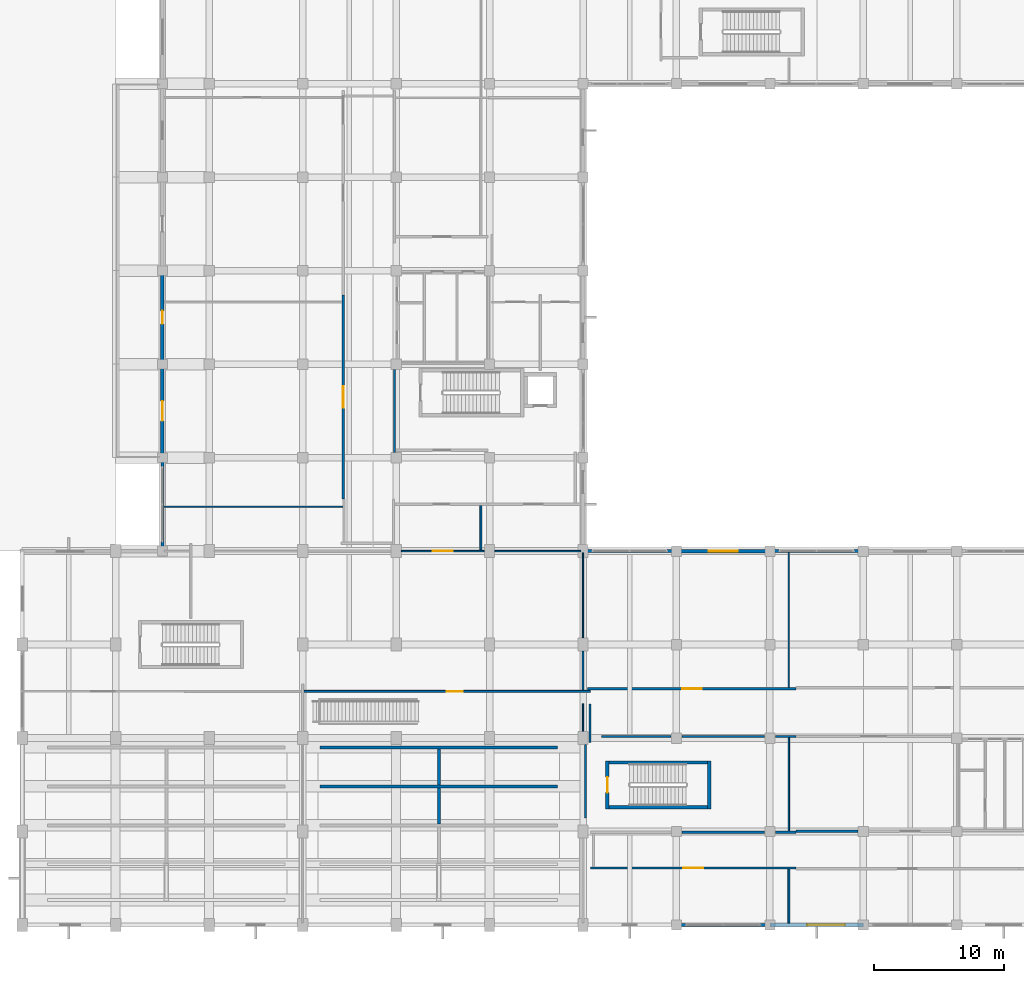
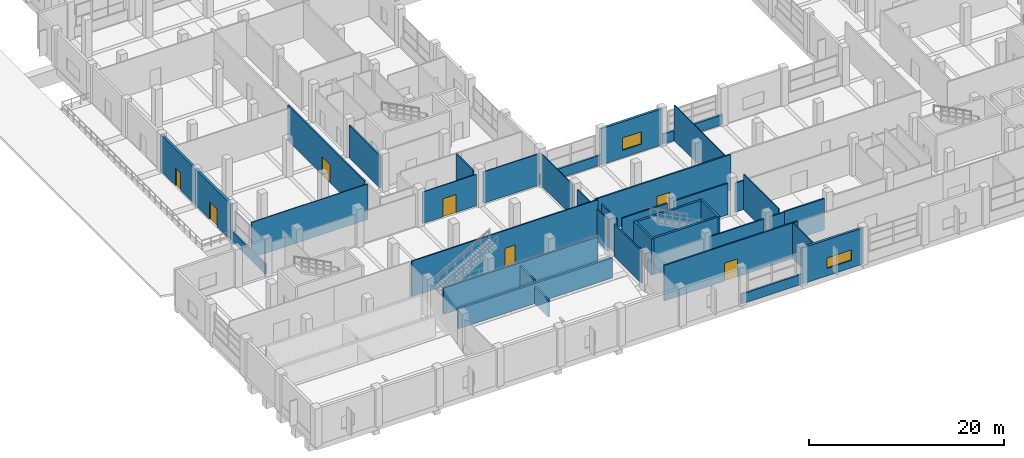
# One storey, part 119 of 140: 39 walls, 8 doors, 2 windows, 10 openings.
"""IFC4 building model written with IfcOpenShell, lengths in metres."""

from ifc_helpers import new_model, si_unit, direction, frame, frame_2d, origin, place, context, subcontext, project, spatial, rectangle, extrude, material, layer, layer_set, type_object, element, fill, save


model = new_model("IFC4")

# Units and contexts
model_context = context("Model", 3, precision=1e-05, world=origin(), true_north=direction((0.0, 1.0)))
body_context = subcontext(model_context, "Body", "Model", "MODEL_VIEW")
ifc_project = project(units=[si_unit("LENGTHUNIT", "METRE"), si_unit("AREAUNIT", "SQUARE_METRE"), si_unit("VOLUMEUNIT", "CUBIC_METRE"), si_unit("PLANEANGLEUNIT", "RADIAN"), si_unit("MASSUNIT", "GRAM", prefix="KILO")], contexts=[model_context])

# Site, building, storey
site_placement = place(None, origin())
site = spatial("IfcSite", under=ifc_project, at=site_placement, CompositionType="ELEMENT")
building_placement = place(site_placement, origin())
building = spatial("IfcBuilding", under=site, at=building_placement, Name="Seraya Terrace Polytechnic", CompositionType="ELEMENT")
storey_placement = place(building_placement, frame((0.0, 0.0, 9.60009765625)))
storey = spatial("IfcBuildingStorey", under=building, at=storey_placement, Name="L02", CompositionType="ELEMENT", Elevation=9.60009765625)

# Wall, opening, door
ifc_material_1 = material(Name="Precast concrete C40/50", Category="concrete")
ifc_layer_1 = layer(ifc_material_1, 0.280029296875, Name="EW-02")
ifc_layer_set_1 = layer_set([ifc_layer_1], Name="Precast concrete C40/50")
wall_type_1 = type_object("IfcWallType", Name="EW-02", PredefinedType="SOLIDWALL", material=ifc_layer_set_1)
wall_1_placement = place(storey_placement, frame((10.800048828125, 36.0, 0.0), z_axis=(0.0, 0.0, 1.0), x_axis=(0.0, 1.0, 0.0)))
wall_1 = element("IfcWall", 1, at=wall_1_placement, inside=storey, type_object=wall_type_1, Name="Exterior structural wall EW-02 L02", PredefinedType="SOLIDWALL", context=body_context, shape_type="SweptSolid", body=[
    extrude(rectangle(XDim=7.199951171875, YDim=0.280029296875, at=frame_2d((3.60009765625, 0.0))), origin(), (0.0, 0.0, 1.0), 4.52001953125),
])
opening_1_placement = place(wall_1_placement, frame((2.840087890625, 0.0, 0.0)))
opening_1 = element("IfcOpeningElement", 2, at=opening_1_placement, cuts=wall_1, Name="Opening TD-04", PredefinedType="OPENING", context=body_context, shape_type="SweptSolid", body=[
    extrude(rectangle(XDim=1.52001953125, YDim=2.219970703125, at=frame_2d((0.760009765625, 1.10986328125))), frame((0.0, 0.15185546875, 0.0), z_axis=(0.0, -1.0, 0.0), x_axis=(1.0, 0.0, 0.0)), (0.0, 0.0, 1.0), 0.303955078125),
])
ifc_material_2 = material(Name="Anodised aluminium EN AW-6063 T6", Category="aluminium")
door_type_1 = type_object("IfcDoorType", Name="TD-04", OperationType="DOUBLE_DOOR_SINGLE_SWING", PredefinedType="DOOR", material=ifc_material_2)
door_1_placement = place(opening_1_placement, origin())
door_1 = element("IfcDoor", 3, at=door_1_placement, inside=storey, type_object=door_type_1, Name="Door TD-04 DR-TERR-L02-00-01 in WL-EXT-L02-00-01", OperationType="DOUBLE_DOOR_SINGLE_SWING", OverallHeight=2.219970703125, OverallWidth=1.52001953125, PredefinedType="DOOR", context=body_context, shape_type="SweptSolid", body=[
    extrude(rectangle(XDim=1.52001953125, YDim=2.219970703125, at=frame_2d((0.760009765625, 1.10986328125))), frame((0.0, 0.02490234375, 0.0), z_axis=(0.0, -1.0, 0.0), x_axis=(1.0, 0.0, 0.0)), (0.0, 0.0, 1.0), 0.050048828125),
])
fill(opening_1, door_1)

wall_2_placement = place(storey_placement, frame((10.800048828125, 43.199951171875, 0.0), z_axis=(0.0, 0.0, 1.0), x_axis=(0.0, 1.0, 0.0)))
wall_2 = element("IfcWall", 4, at=wall_2_placement, inside=storey, type_object=wall_type_1, Name="Exterior structural wall EW-02 L02", PredefinedType="SOLIDWALL", context=body_context, shape_type="SweptSolid", body=[
    extrude(rectangle(XDim=7.199951171875, YDim=0.280029296875, at=frame_2d((3.60009765625, 0.0))), origin(), (0.0, 0.0, 1.0), 4.52001953125),
])
opening_2_placement = place(wall_2_placement, frame((3.10009765625, 0.0, 0.0)))
opening_2 = element("IfcOpeningElement", 5, at=opening_2_placement, cuts=wall_2, Name="Opening TD-01", PredefinedType="OPENING", context=body_context, shape_type="SweptSolid", body=[
    extrude(rectangle(XDim=1.0, YDim=2.14990234375, at=frame_2d((0.5, 1.074951171875))), frame((0.0, 0.15185546875, 0.0), z_axis=(0.0, -1.0, 0.0), x_axis=(1.0, 0.0, 0.0)), (0.0, 0.0, 1.0), 0.303955078125),
])
door_type_2 = type_object("IfcDoorType", Name="TD-01", OperationType="NOTDEFINED", PredefinedType="DOOR", material=ifc_material_2)
door_2_placement = place(opening_2_placement, origin())
door_2 = element("IfcDoor", 6, at=door_2_placement, inside=storey, type_object=door_type_2, Name="Door TD-01 DR-TERR-L02-00-02 in WL-EXT-L02-00-02", OperationType="SINGLE_SWING_RIGHT", OverallHeight=2.14990234375, OverallWidth=1.0, PredefinedType="DOOR", context=body_context, shape_type="SweptSolid", body=[
    extrude(rectangle(XDim=1.0, YDim=2.14990234375, at=frame_2d((0.5, 1.074951171875))), frame((0.0, 0.02490234375, 0.0), z_axis=(0.0, -1.0, 0.0), x_axis=(1.0, 0.0, 0.0)), (0.0, 0.0, 1.0), 0.050048828125),
])
fill(opening_2, door_2)

# Wall, opening, window
wall_3_placement = place(storey_placement, frame((64.800048828125, 0.0, 0.0), z_axis=(0.0, 0.0, 1.0), x_axis=(-1.0, 0.0, 0.0)))
wall_3 = element("IfcWall", 7, at=wall_3_placement, inside=storey, type_object=wall_type_1, Name="Exterior structural wall EW-02 L02", PredefinedType="SOLIDWALL", context=body_context, shape_type="SweptSolid", body=[
    extrude(rectangle(XDim=7.199951171875, YDim=0.280029296875, at=frame_2d((3.60009765625, 0.0))), origin(), (0.0, 0.0, 1.0), 4.52001953125),
])
opening_3_placement = place(wall_3_placement, frame((1.43408203125, 0.0, 0.949951171875)))
opening_3 = element("IfcOpeningElement", 8, at=opening_3_placement, cuts=wall_3, Name="Opening WN-12", PredefinedType="OPENING", context=body_context, shape_type="SweptSolid", body=[
    extrude(rectangle(XDim=2.89990234375, YDim=1.300048828125, at=frame_2d((1.449951171875, 0.64990234375))), frame((0.0, 0.15185546875, 0.0), z_axis=(0.0, -1.0, 0.0), x_axis=(1.0, 0.0, 0.0)), (0.0, 0.0, 1.0), 0.303955078125),
])
ifc_material_3 = material(Name="Laminated solar-control Low-E double glazing", Category="glass")
window_type_1 = type_object("IfcWindowType", Name="WN-12", PartitioningType="SINGLE_PANEL", PredefinedType="WINDOW", material=ifc_material_3)
window_1_placement = place(opening_3_placement, origin())
window_1 = element("IfcWindow", 9, at=window_1_placement, inside=storey, type_object=window_type_1, Name="Exterior window WN-12 L02", OverallHeight=1.300048828125, OverallWidth=2.89990234375, PartitioningType="SINGLE_PANEL", PredefinedType="WINDOW", context=body_context, shape_type="SweptSolid", body=[
    extrude(rectangle(XDim=2.89990234375, YDim=1.300048828125, at=frame_2d((1.449951171875, 0.64990234375))), frame((0.0, 0.030029296875, 0.0), z_axis=(0.0, -1.0, 0.0), x_axis=(1.0, 0.0, 0.0)), (0.0, 0.0, 1.0), 0.06005859375),
])
fill(opening_3, window_1)

wall_4_placement = place(storey_placement, frame((50.39990234375, 28.800048828125, 0.0), z_axis=(0.0, 0.0, 1.0), x_axis=(1.0, 0.0, 0.0)))
wall_4 = element("IfcWall", 10, at=wall_4_placement, inside=storey, type_object=wall_type_1, Name="Exterior structural wall EW-02 L02", PredefinedType="SOLIDWALL", context=body_context, shape_type="SweptSolid", body=[
    extrude(rectangle(XDim=7.2001953125, YDim=0.280029296875, at=frame_2d((3.60009765625, 0.0))), origin(), (0.0, 0.0, 1.0), 4.52001953125),
])
opening_4_placement = place(wall_4_placement, frame((2.47509765625, 0.0, 0.949951171875)))
opening_4 = element("IfcOpeningElement", 11, at=opening_4_placement, cuts=wall_4, Name="Opening WN-20", PredefinedType="OPENING", context=body_context, shape_type="SweptSolid", body=[
    extrude(rectangle(XDim=2.25, YDim=1.550048828125, at=frame_2d((1.125, 0.77490234375))), frame((0.0, 0.15185546875, 0.0), z_axis=(0.0, -1.0, 0.0), x_axis=(1.0, 0.0, 0.0)), (0.0, 0.0, 1.0), 0.303955078125),
])
window_type_2 = type_object("IfcWindowType", Name="WN-20", PartitioningType="SINGLE_PANEL", PredefinedType="WINDOW", material=ifc_material_3)
window_2_placement = place(opening_4_placement, origin())
window_2 = element("IfcWindow", 12, at=window_2_placement, inside=storey, type_object=window_type_2, Name="Exterior window WN-20 L02", OverallHeight=1.550048828125, OverallWidth=2.25, PartitioningType="SINGLE_PANEL", PredefinedType="WINDOW", context=body_context, shape_type="SweptSolid", body=[
    extrude(rectangle(XDim=2.25, YDim=1.550048828125, at=frame_2d((1.125, 0.77490234375))), frame((0.0, 0.030029296875, 0.0), z_axis=(0.0, -1.0, 0.0), x_axis=(1.0, 0.0, 0.0)), (0.0, 0.0, 1.0), 0.06005859375),
])
fill(opening_4, window_2)

# Walls
ifc_layer_2 = layer(ifc_material_1, 0.219970703125, Name="EW-05")
ifc_layer_set_2 = layer_set([ifc_layer_2], Name="Precast concrete C40/50")
wall_type_2 = type_object("IfcWallType", Name="EW-05", PredefinedType="SOLIDWALL", material=ifc_layer_set_2)
wall_5_placement = place(storey_placement, frame((10.800048828125, 28.966064453125, 0.0), z_axis=(0.0, 0.0, 1.0), x_axis=(0.0, 1.0, 0.0)))
element("IfcWall", 13, at=wall_5_placement, inside=storey, type_object=wall_type_2, Name="Precast spandrel wall L02", PredefinedType="SOLIDWALL", context=body_context, shape_type="SweptSolid", body=[
    extrude(rectangle(XDim=7.033935546875, YDim=0.219970703125, at=frame_2d((3.51708984375, 0.0))), origin(), (0.0, 0.0, 1.0), 1.239990234375),
])
wall_6_placement = place(storey_placement, frame((57.60009765625, 0.0, 0.0), z_axis=(0.0, 0.0, 1.0), x_axis=(-1.0, 0.0, 0.0)))
element("IfcWall", 14, at=wall_6_placement, inside=storey, type_object=wall_type_2, Name="Precast spandrel wall L02", PredefinedType="SOLIDWALL", context=body_context, shape_type="SweptSolid", body=[
    extrude(rectangle(XDim=7.2001953125, YDim=0.219970703125, at=frame_2d((3.60009765625, 0.0))), origin(), (0.0, 0.0, 1.0), 1.239990234375),
])
wall_7_placement = place(storey_placement, frame((43.050048828125, 28.800048828125, 0.0), z_axis=(0.0, 0.0, 1.0), x_axis=(1.0, 0.0, 0.0)))
element("IfcWall", 15, at=wall_7_placement, inside=storey, type_object=wall_type_2, Name="Precast spandrel wall L02", PredefinedType="SOLIDWALL", context=body_context, shape_type="SweptSolid", body=[
    extrude(rectangle(XDim=7.349853515625, YDim=0.219970703125, at=frame_2d((3.6748046875, 0.0))), origin(), (0.0, 0.0, 1.0), 1.239990234375),
])
wall_8_placement = place(storey_placement, frame((57.60009765625, 28.800048828125, 0.0), z_axis=(0.0, 0.0, 1.0), x_axis=(1.0, 0.0, 0.0)))
element("IfcWall", 16, at=wall_8_placement, inside=storey, type_object=wall_type_2, Name="Precast spandrel wall L02", PredefinedType="SOLIDWALL", context=body_context, shape_type="SweptSolid", body=[
    extrude(rectangle(XDim=7.199951171875, YDim=0.219970703125, at=frame_2d((3.60009765625, 0.0))), origin(), (0.0, 0.0, 1.0), 1.239990234375),
])
ifc_material_4 = material(Name="Autoclaved aerated concrete blockwork", Category="masonry")
ifc_layer_3 = layer(ifc_material_4, 0.169921875, Name="PT-02")
ifc_layer_set_3 = layer_set([ifc_layer_3], Name="Autoclaved aerated concrete blockwork")
wall_type_3 = type_object("IfcWallType", Name="PT-02", PredefinedType="PARTITIONING", material=ifc_layer_set_3)
wall_9_placement = place(storey_placement, frame((50.81005859375, 14.530029296875, 0.0), z_axis=(0.0, 0.0, 1.0), x_axis=(1.0, 0.0, 0.0)))
element("IfcWall", 17, at=wall_9_placement, inside=storey, type_object=wall_type_3, Name="Internal partition PT-02 L02", PredefinedType="PARTITIONING", context=body_context, shape_type="SweptSolid", body=[
    extrude(rectangle(XDim=6.3798828125, YDim=0.169921875, at=frame_2d((3.18994140625, 0.0))), origin(), (0.0, 0.0, 1.0), 3.929931640625),
])
wall_10_placement = place(storey_placement, frame((44.6298828125, 14.530029296875, 0.0), z_axis=(0.0, 0.0, 1.0), x_axis=(1.0, 0.0, 0.0)))
element("IfcWall", 18, at=wall_10_placement, inside=storey, type_object=wall_type_3, Name="Internal partition PT-02 L02", PredefinedType="PARTITIONING", context=body_context, shape_type="SweptSolid", body=[
    extrude(rectangle(XDim=5.360107421875, YDim=0.169921875, at=frame_2d((2.68017578125, 0.0))), origin(), (0.0, 0.0, 1.0), 3.929931640625),
])
wall_11_placement = place(storey_placement, frame((58.010009765625, 14.530029296875, 0.0), z_axis=(0.0, 0.0, 1.0), x_axis=(1.0, 0.0, 0.0)))
element("IfcWall", 19, at=wall_11_placement, inside=storey, type_object=wall_type_3, Name="Internal partition PT-02 L02", PredefinedType="PARTITIONING", context=body_context, shape_type="SweptSolid", body=[
    extrude(rectangle(XDim=1.60205078125, YDim=0.169921875, at=frame_2d((0.801025390625, 0.0))), origin(), (0.0, 0.0, 1.0), 3.6298828125),
])
wall_12_placement = place(storey_placement, frame((43.72998046875, 14.041015625, 0.0), z_axis=(0.0, 0.0, 1.0), x_axis=(0.0, 1.0, 0.0)))
element("IfcWall", 20, at=wall_12_placement, inside=storey, type_object=wall_type_3, Name="Internal partition PT-02 L02", PredefinedType="PARTITIONING", context=body_context, shape_type="SweptSolid", body=[
    extrude(rectangle(XDim=2.990966796875, YDim=0.169921875, at=frame_2d((1.49560546875, 0.0))), origin(), (0.0, 0.0, 1.0), 4.4599609375),
])

# Wall, opening, door
wall_13_placement = place(storey_placement, frame((43.56005859375, 18.199951171875, 0.0), z_axis=(0.0, 0.0, 1.0), x_axis=(1.0, 0.0, 0.0)))
wall_13 = element("IfcWall", 21, at=wall_13_placement, inside=storey, type_object=wall_type_3, Name="Internal partition PT-02 L02", PredefinedType="PARTITIONING", context=body_context, shape_type="SweptSolid", body=[
    extrude(rectangle(XDim=16.0634765625, YDim=0.169921875, at=frame_2d((8.03173828125, 0.0))), origin(), (0.0, 0.0, 1.0), 4.4599609375),
])
opening_5_placement = place(wall_13_placement, frame((7.291748046875, 0.0, 0.0)))
opening_5 = element("IfcOpeningElement", 22, at=opening_5_placement, cuts=wall_13, Name="Opening ID-11", PredefinedType="OPENING", context=body_context, shape_type="SweptSolid", body=[
    extrude(rectangle(XDim=1.47998046875, YDim=2.260009765625, at=frame_2d((0.739990234375, 1.1298828125))), frame((0.0, 0.096923828125, 0.0), z_axis=(0.0, -1.0, 0.0), x_axis=(1.0, 0.0, 0.0)), (0.0, 0.0, 1.0), 0.19384765625),
])
ifc_material_5 = material(Name="Malaysian dark red meranti hardwood timber D40", Category="wood")
door_type_3 = type_object("IfcDoorType", Name="ID-11", OperationType="DOUBLE_DOOR_SINGLE_SWING", PredefinedType="DOOR", material=ifc_material_5)
door_3_placement = place(opening_5_placement, origin())
door_3 = element("IfcDoor", 23, at=door_3_placement, inside=storey, type_object=door_type_3, Name="Door ID-11 DR-INT-L02-0136 in WL-INT-L02-0423", OperationType="DOUBLE_DOOR_SINGLE_SWING", OverallHeight=2.260009765625, OverallWidth=1.47998046875, PredefinedType="DOOR", context=body_context, shape_type="SweptSolid", body=[
    extrude(rectangle(XDim=1.47998046875, YDim=2.260009765625, at=frame_2d((0.739990234375, 1.1298828125))), frame((0.0, 0.02490234375, 0.0), z_axis=(0.0, -1.0, 0.0), x_axis=(1.0, 0.0, 0.0)), (0.0, 0.0, 1.0), 0.050048828125),
])
fill(opening_5, door_3)

# Walls
wall_14_placement = place(storey_placement, frame((50.81005859375, 7.14990234375, 0.0), z_axis=(0.0, 0.0, 1.0), x_axis=(1.0, 0.0, 0.0)))
element("IfcWall", 24, at=wall_14_placement, inside=storey, type_object=wall_type_3, Name="Internal partition PT-02 L02", PredefinedType="PARTITIONING", context=body_context, shape_type="SweptSolid", body=[
    extrude(rectangle(XDim=6.3798828125, YDim=0.169921875, at=frame_2d((3.18994140625, 0.0))), origin(), (0.0, 0.0, 1.0), 3.929931640625),
])
wall_15_placement = place(storey_placement, frame((58.010009765625, 7.14990234375, 0.0), z_axis=(0.0, 0.0, 1.0), x_axis=(1.0, 0.0, 0.0)))
element("IfcWall", 25, at=wall_15_placement, inside=storey, type_object=wall_type_3, Name="Internal partition PT-02 L02", PredefinedType="PARTITIONING", context=body_context, shape_type="SweptSolid", body=[
    extrude(rectangle(XDim=1.613525390625, YDim=0.169921875, at=frame_2d((0.806640625, 0.0))), origin(), (0.0, 0.0, 1.0), 3.929931640625),
])

# Wall, opening, door
wall_16_placement = place(storey_placement, frame((43.760009765625, 4.39990234375, 0.0), z_axis=(0.0, 0.0, 1.0), x_axis=(1.0, 0.0, 0.0)))
wall_16 = element("IfcWall", 26, at=wall_16_placement, inside=storey, type_object=wall_type_3, Name="Internal partition PT-02 L02", PredefinedType="PARTITIONING", context=body_context, shape_type="SweptSolid", body=[
    extrude(rectangle(XDim=15.863525390625, YDim=0.169921875, at=frame_2d((7.931640625, 0.0))), origin(), (0.0, 0.0, 1.0), 4.4599609375),
])
opening_6_placement = place(wall_16_placement, frame((7.15185546875, 0.0, 0.0)))
opening_6 = element("IfcOpeningElement", 27, at=opening_6_placement, cuts=wall_16, Name="Opening ID-12", PredefinedType="OPENING", context=body_context, shape_type="SweptSolid", body=[
    extrude(rectangle(XDim=1.56005859375, YDim=2.260009765625, at=frame_2d((0.780029296875, 1.1298828125))), frame((0.0, 0.096923828125, 0.0), z_axis=(0.0, -1.0, 0.0), x_axis=(1.0, 0.0, 0.0)), (0.0, 0.0, 1.0), 0.19384765625),
])
door_type_4 = type_object("IfcDoorType", Name="ID-12", OperationType="DOUBLE_DOOR_SINGLE_SWING", PredefinedType="DOOR", material=ifc_material_5)
door_4_placement = place(opening_6_placement, frame((1.56005859375, 0.0, 0.0), z_axis=(0.0, 0.0, 1.0), x_axis=(-1.0, 0.0, 0.0)))
door_4 = element("IfcDoor", 28, at=door_4_placement, inside=storey, type_object=door_type_4, Name="Door ID-12 DR-INT-L02-0137 in WL-INT-L02-0447", OperationType="DOUBLE_DOOR_SINGLE_SWING", OverallHeight=2.260009765625, OverallWidth=1.56005859375, PredefinedType="DOOR", context=body_context, shape_type="SweptSolid", body=[
    extrude(rectangle(XDim=1.56005859375, YDim=2.260009765625, at=frame_2d((0.780029296875, 1.1298828125))), frame((0.0, 0.02490234375, 0.0), z_axis=(0.0, -1.0, 0.0), x_axis=(1.0, 0.0, 0.0)), (0.0, 0.0, 1.0), 0.050048828125),
])
fill(opening_6, door_4)

# Walls
wall_17_placement = place(storey_placement, frame((59.62353515625, 7.219970703125, 0.0), z_axis=(0.0, 0.0, 1.0), x_axis=(1.0, 0.0, 0.0)))
element("IfcWall", 29, at=wall_17_placement, inside=storey, type_object=wall_type_3, Name="Internal partition PT-02 L02", PredefinedType="PARTITIONING", context=body_context, shape_type="SweptSolid", body=[
    extrude(rectangle(XDim=4.766357421875, YDim=0.169921875, at=frame_2d((2.38330078125, 0.0))), origin(), (0.0, 0.0, 1.0), 3.929931640625),
])
wall_18_placement = place(storey_placement, frame((43.39990234375, 8.25048828125, 0.0), z_axis=(0.0, 0.0, 1.0), x_axis=(0.0, 1.0, 0.0)))
element("IfcWall", 30, at=wall_18_placement, inside=storey, type_object=wall_type_3, Name="Internal partition PT-02 L02", PredefinedType="PARTITIONING", context=body_context, shape_type="SweptSolid", body=[
    extrude(rectangle(XDim=5.639404296875, YDim=0.169921875, at=frame_2d((2.81982421875, 0.0))), origin(), (0.0, 0.0, 1.0), 4.02978515625),
])
wall_19_placement = place(storey_placement, frame((28.669921875, 36.409912109375, 0.0), z_axis=(0.0, 0.0, 1.0), x_axis=(0.0, 1.0, 0.0)))
element("IfcWall", 31, at=wall_19_placement, inside=storey, type_object=wall_type_3, Name="Internal partition PT-02 L02", PredefinedType="PARTITIONING", context=body_context, shape_type="SweptSolid", body=[
    extrude(rectangle(XDim=6.380126953125, YDim=0.169921875, at=frame_2d((3.18994140625, 0.0))), origin(), (0.0, 0.0, 1.0), 4.02978515625),
])

# Wall, opening, door
wall_20_placement = place(storey_placement, frame((24.72998046875, 32.79541015625, 0.0), z_axis=(0.0, 0.0, 1.0), x_axis=(0.0, 1.0, 0.0)))
wall_20 = element("IfcWall", 32, at=wall_20_placement, inside=storey, type_object=wall_type_3, Name="Internal partition PT-02 L02", PredefinedType="PARTITIONING", context=body_context, shape_type="SweptSolid", body=[
    extrude(rectangle(XDim=15.740478515625, YDim=0.169921875, at=frame_2d((7.8701171875, 0.0))), origin(), (0.0, 0.0, 1.0), 4.4599609375),
])
opening_7_placement = place(wall_20_placement, frame((7.0302734375, 0.0, 0.0)))
opening_7 = element("IfcOpeningElement", 33, at=opening_7_placement, cuts=wall_20, Name="Opening ID-13", PredefinedType="OPENING", context=body_context, shape_type="SweptSolid", body=[
    extrude(rectangle(XDim=1.679931640625, YDim=2.280029296875, at=frame_2d((0.83984375, 1.14013671875))), frame((0.0, 0.096923828125, 0.0), z_axis=(0.0, -1.0, 0.0), x_axis=(1.0, 0.0, 0.0)), (0.0, 0.0, 1.0), 0.19384765625),
])
door_type_5 = type_object("IfcDoorType", Name="ID-13", OperationType="DOUBLE_DOOR_SINGLE_SWING", PredefinedType="DOOR", material=ifc_material_5)
door_5_placement = place(opening_7_placement, origin())
door_5 = element("IfcDoor", 34, at=door_5_placement, inside=storey, type_object=door_type_5, Name="Door ID-13 DR-INT-L02-0138 in WL-INT-L02-0471", OperationType="DOUBLE_DOOR_SINGLE_SWING", OverallHeight=2.280029296875, OverallWidth=1.679931640625, PredefinedType="DOOR", context=body_context, shape_type="SweptSolid", body=[
    extrude(rectangle(XDim=1.679931640625, YDim=2.280029296875, at=frame_2d((0.83984375, 1.14013671875))), frame((0.0, 0.02490234375, 0.0), z_axis=(0.0, -1.0, 0.0), x_axis=(1.0, 0.0, 0.0)), (0.0, 0.0, 1.0), 0.050048828125),
])
fill(opening_7, door_5)

ifc_layer_4 = layer(ifc_material_4, 0.14990234375, Name="PT-03")
ifc_layer_set_4 = layer_set([ifc_layer_4], Name="Autoclaved aerated concrete blockwork")
wall_type_4 = type_object("IfcWallType", Name="PT-03", PredefinedType="PARTITIONING", material=ifc_layer_set_4)
wall_21_placement = place(storey_placement, frame((21.68994140625, 18.0, 0.0), z_axis=(0.0, 0.0, 1.0), x_axis=(1.0, 0.0, 0.0)))
wall_21 = element("IfcWall", 35, at=wall_21_placement, inside=storey, type_object=wall_type_4, Name="Internal partition PT-03 L02", PredefinedType="PARTITIONING", context=body_context, shape_type="SweptSolid", body=[
    extrude(rectangle(XDim=22.070068359375, YDim=0.14990234375, at=frame_2d((11.03515625, 0.0))), origin(), (0.0, 0.0, 1.0), 4.4599609375),
])
opening_8_placement = place(wall_21_placement, frame((11.02490234375, 0.0, 0.0)))
opening_8 = element("IfcOpeningElement", 36, at=opening_8_placement, cuts=wall_21, Name="Opening ID-07", PredefinedType="OPENING", context=body_context, shape_type="SweptSolid", body=[
    extrude(rectangle(XDim=1.219970703125, YDim=2.219970703125, at=frame_2d((0.60986328125, 1.10986328125))), frame((0.0, 0.0869140625, 0.0), z_axis=(0.0, -1.0, 0.0), x_axis=(1.0, 0.0, 0.0)), (0.0, 0.0, 1.0), 0.173828125),
])
door_type_6 = type_object("IfcDoorType", Name="ID-07", OperationType="NOTDEFINED", PredefinedType="DOOR", material=ifc_material_5)
door_6_placement = place(opening_8_placement, origin())
door_6 = element("IfcDoor", 37, at=door_6_placement, inside=storey, type_object=door_type_6, Name="Door ID-07 DR-INT-L02-0132 in WL-INT-L02-0499", OperationType="SINGLE_SWING_LEFT", OverallHeight=2.219970703125, OverallWidth=1.219970703125, PredefinedType="DOOR", context=body_context, shape_type="SweptSolid", body=[
    extrude(rectangle(XDim=1.219970703125, YDim=2.219970703125, at=frame_2d((0.60986328125, 1.10986328125))), frame((0.0, 0.02490234375, 0.0), z_axis=(0.0, -1.0, 0.0), x_axis=(1.0, 0.0, 0.0)), (0.0, 0.0, 1.0), 0.050048828125),
])
fill(opening_8, door_6)

# Walls
wall_22_placement = place(storey_placement, frame((43.199951171875, 18.090087890625, 0.0), z_axis=(0.0, 0.0, 1.0), x_axis=(0.0, 1.0, 0.0)))
element("IfcWall", 38, at=wall_22_placement, inside=storey, type_object=wall_type_4, Name="Internal partition PT-03 L02", PredefinedType="PARTITIONING", context=body_context, shape_type="SweptSolid", body=[
    extrude(rectangle(XDim=3.0, YDim=0.14990234375, at=frame_2d((1.5, 0.0))), origin(), (0.0, 0.0, 1.0), 4.02978515625),
])
wall_23_placement = place(storey_placement, frame((35.3359375, 28.875, 0.0), z_axis=(0.0, 0.0, 1.0), x_axis=(0.0, 1.0, 0.0)))
element("IfcWall", 39, at=wall_23_placement, inside=storey, type_object=wall_type_4, Name="Internal partition PT-03 L02", PredefinedType="PARTITIONING", context=body_context, shape_type="SweptSolid", body=[
    extrude(rectangle(XDim=3.43701171875, YDim=0.14990234375, at=frame_2d((1.718505859375, 0.0))), origin(), (0.0, 0.0, 1.0), 4.4599609375),
])
wall_24_placement = place(storey_placement, frame((59.052001953125, 0.152099609375, 0.0), z_axis=(0.0, 0.0, 1.0), x_axis=(0.0, 1.0, 0.0)))
element("IfcWall", 40, at=wall_24_placement, inside=storey, type_object=wall_type_4, Name="Internal partition PT-03 L02", PredefinedType="PARTITIONING", context=body_context, shape_type="SweptSolid", body=[
    extrude(rectangle(XDim=4.14794921875, YDim=0.14990234375, at=frame_2d((2.073974609375, 0.0))), origin(), (0.0, 0.0, 1.0), 4.4599609375),
])

# Wall, opening, door
ifc_layer_5 = layer(ifc_material_4, 0.1201171875, Name="PT-05")
ifc_layer_set_5 = layer_set([ifc_layer_5], Name="Autoclaved aerated concrete blockwork")
wall_type_5 = type_object("IfcWallType", Name="PT-05", PredefinedType="PARTITIONING", material=ifc_layer_set_5)
wall_25_placement = place(storey_placement, frame((29.2099609375, 28.800048828125, 0.0), z_axis=(0.0, 0.0, 1.0), x_axis=(1.0, 0.0, 0.0)))
wall_25 = element("IfcWall", 41, at=wall_25_placement, inside=storey, type_object=wall_type_5, Name="Internal partition PT-05 L02", PredefinedType="PARTITIONING", context=body_context, shape_type="SweptSolid", body=[
    extrude(rectangle(XDim=6.380126953125, YDim=0.1201171875, at=frame_2d((3.18994140625, 0.0))), origin(), (0.0, 0.0, 1.0), 3.929931640625),
])
opening_9_placement = place(wall_25_placement, frame((2.409912109375, 0.0, 0.0)))
opening_9 = element("IfcOpeningElement", 42, at=opening_9_placement, cuts=wall_25, Name="Opening ID-12", PredefinedType="OPENING", context=body_context, shape_type="SweptSolid", body=[
    extrude(rectangle(XDim=1.56005859375, YDim=2.260009765625, at=frame_2d((0.780029296875, 1.1298828125))), frame((0.0, 0.072021484375, 0.0), z_axis=(0.0, -1.0, 0.0), x_axis=(1.0, 0.0, 0.0)), (0.0, 0.0, 1.0), 0.14404296875),
])
door_7_placement = place(opening_9_placement, frame((1.56005859375, 0.0, 0.0), z_axis=(0.0, 0.0, 1.0), x_axis=(-1.0, 0.0, 0.0)))
door_7 = element("IfcDoor", 43, at=door_7_placement, inside=storey, type_object=door_type_4, Name="Door ID-12 DR-INT-L02-0185 in WL-INT-L02-0503", OperationType="DOUBLE_DOOR_SINGLE_SWING", OverallHeight=2.260009765625, OverallWidth=1.56005859375, PredefinedType="DOOR", context=body_context, shape_type="SweptSolid", body=[
    extrude(rectangle(XDim=1.56005859375, YDim=2.260009765625, at=frame_2d((0.780029296875, 1.1298828125))), frame((0.0, 0.02490234375, 0.0), z_axis=(0.0, -1.0, 0.0), x_axis=(1.0, 0.0, 0.0)), (0.0, 0.0, 1.0), 0.050048828125),
])
fill(opening_9, door_7)

# Walls
wall_26_placement = place(storey_placement, frame((36.409912109375, 28.800048828125, 0.0), z_axis=(0.0, 0.0, 1.0), x_axis=(1.0, 0.0, 0.0)))
element("IfcWall", 44, at=wall_26_placement, inside=storey, type_object=wall_type_5, Name="Internal partition PT-05 L02", PredefinedType="PARTITIONING", context=body_context, shape_type="SweptSolid", body=[
    extrude(rectangle(XDim=6.628173828125, YDim=0.1201171875, at=frame_2d((3.31396484375, 0.0))), origin(), (0.0, 0.0, 1.0), 3.929931640625),
])
wall_27_placement = place(storey_placement, frame((59.052001953125, 7.25, 0.0), z_axis=(0.0, 0.0, 1.0), x_axis=(0.0, 1.0, 0.0)))
element("IfcWall", 45, at=wall_27_placement, inside=storey, type_object=wall_type_5, Name="Internal partition PT-05 L02", PredefinedType="PARTITIONING", context=body_context, shape_type="SweptSolid", body=[
    extrude(rectangle(XDim=7.179931640625, YDim=0.1201171875, at=frame_2d((3.58984375, 0.0))), origin(), (0.0, 0.0, 1.0), 4.4599609375),
])
ifc_layer_6 = layer(ifc_material_4, 0.10009765625, Name="PT-06")
ifc_layer_set_6 = layer_set([ifc_layer_6], Name="Autoclaved aerated concrete blockwork")
wall_type_6 = type_object("IfcWallType", Name="PT-06", PredefinedType="PARTITIONING", material=ifc_layer_set_6)
wall_28_placement = place(storey_placement, frame((43.199951171875, 14.909912109375, 0.0), z_axis=(0.0, 0.0, 1.0), x_axis=(0.0, 1.0, 0.0)))
element("IfcWall", 46, at=wall_28_placement, inside=storey, type_object=wall_type_6, Name="Internal partition PT-06 L02", PredefinedType="PARTITIONING", context=body_context, shape_type="SweptSolid", body=[
    extrude(rectangle(XDim=2.1220703125, YDim=0.10009765625, at=frame_2d((1.06103515625, 0.0))), origin(), (0.0, 0.0, 1.0), 4.02978515625),
])
wall_29_placement = place(storey_placement, frame((43.199951171875, 22.110107421875, 0.0), z_axis=(0.0, 0.0, 1.0), x_axis=(0.0, 1.0, 0.0)))
element("IfcWall", 47, at=wall_29_placement, inside=storey, type_object=wall_type_6, Name="Internal partition PT-06 L02", PredefinedType="PARTITIONING", context=body_context, shape_type="SweptSolid", body=[
    extrude(rectangle(XDim=6.56787109375, YDim=0.10009765625, at=frame_2d((3.283935546875, 0.0))), origin(), (0.0, 0.0, 1.0), 4.02978515625),
])
wall_30_placement = place(storey_placement, frame((10.922119140625, 32.22412109375, 0.0), z_axis=(0.0, 0.0, 1.0), x_axis=(1.0, 0.0, 0.0)))
element("IfcWall", 48, at=wall_30_placement, inside=storey, type_object=wall_type_6, Name="Internal partition PT-06 L02", PredefinedType="PARTITIONING", context=body_context, shape_type="SweptSolid", body=[
    extrude(rectangle(XDim=13.77783203125, YDim=0.10009765625, at=frame_2d((6.888916015625, 0.0))), origin(), (0.0, 0.0, 1.0), 4.4599609375),
])
wall_31_placement = place(storey_placement, frame((59.052001953125, 18.300048828125, 0.0), z_axis=(0.0, 0.0, 1.0), x_axis=(0.0, 1.0, 0.0)))
element("IfcWall", 49, at=wall_31_placement, inside=storey, type_object=wall_type_6, Name="Internal partition PT-06 L02", PredefinedType="PARTITIONING", context=body_context, shape_type="SweptSolid", body=[
    extrude(rectangle(XDim=10.3779296875, YDim=0.10009765625, at=frame_2d((5.18896484375, 0.0))), origin(), (0.0, 0.0, 1.0), 4.4599609375),
])
ifc_material_6 = material(Name="Concrete C40/50", Category="concrete")
ifc_layer_7 = layer(ifc_material_6, 0.22998046875, Name="RW-T1")
ifc_layer_set_7 = layer_set([ifc_layer_7], Name="Concrete C40/50")
wall_type_7 = type_object("IfcWallType", Name="RW-T1", PredefinedType="SOLIDWALL", material=ifc_layer_set_7)
wall_32_placement = place(storey_placement, frame((22.949951171875, 10.679931640625, 0.0), z_axis=(0.0, 0.0, 1.0), x_axis=(1.0, 0.0, 0.0)))
element("IfcWall", 50, at=wall_32_placement, inside=storey, type_object=wall_type_7, Name="Lecture seating tier support wall LT4 bank 3", PredefinedType="SOLIDWALL", context=body_context, shape_type="SweptSolid", body=[
    extrude(rectangle(XDim=18.300048828125, YDim=0.22998046875, at=frame_2d((9.14990234375, 0.0))), origin(), (0.0, 0.0, 1.0), 2.510009765625),
])
wall_33_placement = place(storey_placement, frame((32.10009765625, 7.794921875, 0.0), z_axis=(0.0, 0.0, 1.0), x_axis=(0.0, 1.0, 0.0)))
element("IfcWall", 51, at=wall_33_placement, inside=storey, type_object=wall_type_7, Name="Lecture seating tier spine wall LT4 bank 3", PredefinedType="SOLIDWALL", context=body_context, shape_type="SweptSolid", body=[
    extrude(rectangle(XDim=2.77001953125, YDim=0.22998046875, at=frame_2d((1.385009765625, 0.0))), origin(), (0.0, 0.0, 1.0), 2.10986328125),
])
wall_34_placement = place(storey_placement, frame((22.949951171875, 13.679931640625, 0.0), z_axis=(0.0, 0.0, 1.0), x_axis=(1.0, 0.0, 0.0)))
element("IfcWall", 52, at=wall_34_placement, inside=storey, type_object=wall_type_7, Name="Lecture seating tier support wall LT4 bank 4", PredefinedType="SOLIDWALL", context=body_context, shape_type="SweptSolid", body=[
    extrude(rectangle(XDim=18.300048828125, YDim=0.22998046875, at=frame_2d((9.14990234375, 0.0))), origin(), (0.0, 0.0, 1.0), 3.309814453125),
])
wall_35_placement = place(storey_placement, frame((32.10009765625, 10.794921875, 0.0), z_axis=(0.0, 0.0, 1.0), x_axis=(0.0, 1.0, 0.0)))
element("IfcWall", 53, at=wall_35_placement, inside=storey, type_object=wall_type_7, Name="Lecture seating tier spine wall LT4 bank 4", PredefinedType="SOLIDWALL", context=body_context, shape_type="SweptSolid", body=[
    extrude(rectangle(XDim=2.77001953125, YDim=0.22998046875, at=frame_2d((1.385009765625, 0.0))), origin(), (0.0, 0.0, 1.0), 2.909912109375),
])

# Wall, opening, door
ifc_layer_8 = layer(ifc_material_6, 0.25, Name="SW-02")
ifc_layer_set_8 = layer_set([ifc_layer_8], Name="Concrete C40/50")
wall_type_8 = type_object("IfcWallType", Name="SW-02", PredefinedType="SHEAR", material=ifc_layer_set_8)
wall_36_placement = place(storey_placement, frame((45.074951171875, 8.949951171875, 0.0), z_axis=(0.0, 0.0, 1.0), x_axis=(0.0, 1.0, 0.0)))
wall_36 = element("IfcWall", 54, at=wall_36_placement, inside=storey, type_object=wall_type_8, Name="Stairwell ST-03 West wall L02", PredefinedType="SHEAR", context=body_context, shape_type="SweptSolid", body=[
    extrude(rectangle(XDim=3.699951171875, YDim=0.25, at=frame_2d((1.85009765625, 0.0))), origin(), (0.0, 0.0, 1.0), 4.5498046875),
])
opening_10_placement = place(wall_36_placement, frame((1.25, 0.0, 0.0)))
opening_10 = element("IfcOpeningElement", 55, at=opening_10_placement, cuts=wall_36, Name="Opening FD-01", PredefinedType="OPENING", context=body_context, shape_type="SweptSolid", body=[
    extrude(rectangle(XDim=1.199951171875, YDim=2.14990234375, at=frame_2d((0.60009765625, 1.074951171875))), frame((0.0, 0.136962890625, 0.0), z_axis=(0.0, -1.0, 0.0), x_axis=(1.0, 0.0, 0.0)), (0.0, 0.0, 1.0), 0.27392578125),
])
ifc_material_7 = material(Name="Steel S355J2", Category="steel")
door_type_7 = type_object("IfcDoorType", Name="FD-01", OperationType="NOTDEFINED", PredefinedType="DOOR", material=ifc_material_7)
door_8_placement = place(opening_10_placement, frame((1.199951171875, 0.0, 0.0), z_axis=(0.0, 0.0, 1.0), x_axis=(-1.0, 0.0, 0.0)))
door_8 = element("IfcDoor", 56, at=door_8_placement, inside=storey, type_object=door_type_7, Name="Door FD-01 DR-STR-ST-03-L02 in WL-STR-ST-03-L02-W", OperationType="SINGLE_SWING_RIGHT", OverallHeight=2.14990234375, OverallWidth=1.199951171875, PredefinedType="DOOR", context=body_context, shape_type="SweptSolid", body=[
    extrude(rectangle(XDim=1.199951171875, YDim=2.14990234375, at=frame_2d((0.60009765625, 1.074951171875))), frame((0.0, 0.02490234375, 0.0), z_axis=(0.0, -1.0, 0.0), x_axis=(1.0, 0.0, 0.0)), (0.0, 0.0, 1.0), 0.050048828125),
])
fill(opening_10, door_8)

# Walls
wall_37_placement = place(storey_placement, frame((52.925048828125, 8.949951171875, 0.0), z_axis=(0.0, 0.0, 1.0), x_axis=(0.0, 1.0, 0.0)))
element("IfcWall", 57, at=wall_37_placement, inside=storey, type_object=wall_type_8, Name="Stairwell ST-03 East wall L02", PredefinedType="SHEAR", context=body_context, shape_type="SweptSolid", body=[
    extrude(rectangle(XDim=3.699951171875, YDim=0.25, at=frame_2d((1.85009765625, 0.0))), origin(), (0.0, 0.0, 1.0), 4.5498046875),
])
for number, where, z_axis, x_axis, name in (
    (58, (45.199951171875, 9.074951171875, 0.0), (0.0, 0.0, 1.0), (1.0, 0.0, 0.0), "Stairwell ST-03 South wall L02"),
    (59, (45.199951171875, 12.52490234375, 0.0), (0.0, 0.0, 1.0), (1.0, 0.0, 0.0), "Stairwell ST-03 North wall L02"),
):
    element("IfcWall", number, at=place(storey_placement, frame(where, z_axis=z_axis, x_axis=x_axis)), inside=storey, type_object=wall_type_8, Name=name, PredefinedType="SHEAR", context=body_context, shape_type="SweptSolid", body=[
        extrude(rectangle(XDim=7.60009765625, YDim=0.25, at=frame_2d((3.800048828125, 0.0))), origin(), (0.0, 0.0, 1.0), 4.5498046875),
    ])

save(model, "model.ifc")
